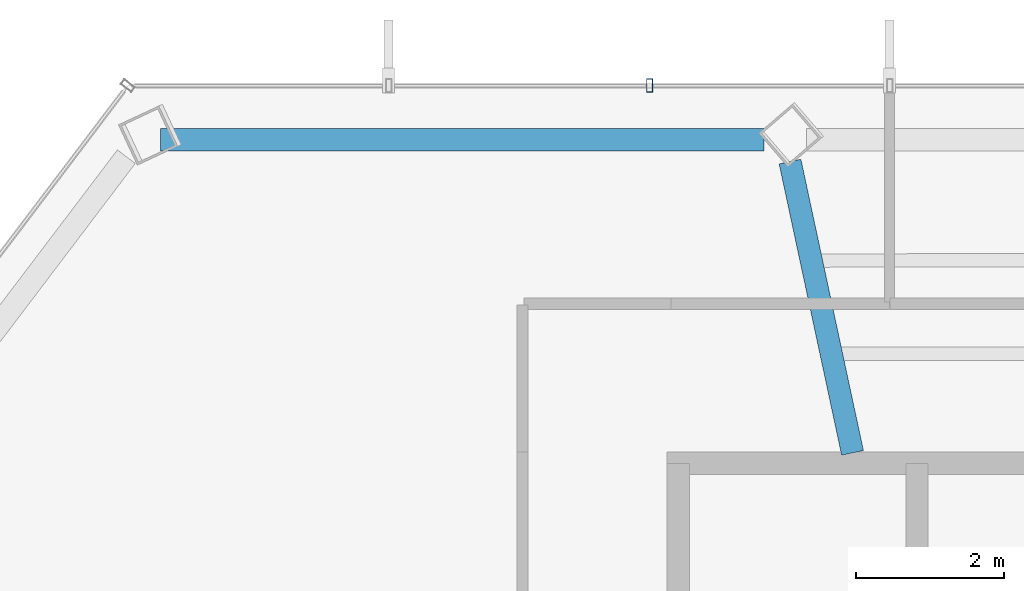
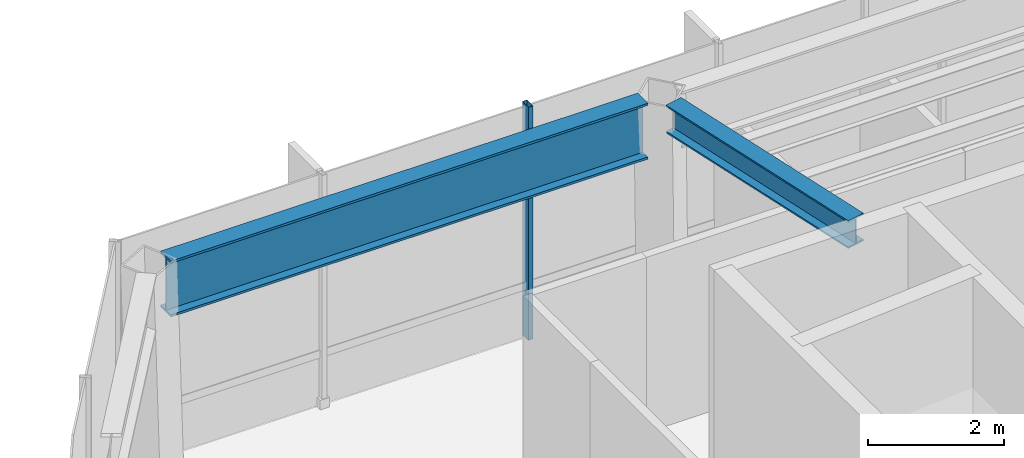
# One storey, part 8 of 22: 2 beams, 1 member, 1 element without a shape of its own.
"""IFC4 building model written with IfcOpenShell, lengths in metres."""

from ifc_helpers import new_model, si_unit, direction, frame, origin, origin_2d, place, context, subcontext, project, spatial, hollow_rectangle, i_section, extrude, material, layer, layer_set, material_profile, profile_set, type_object, element, aggregate, save


model = new_model("IFC4")

# Units and contexts
model_context = context("Model", 3, precision=1e-05, world=origin(), true_north=direction((0.0, 1.0)))
body_context = subcontext(model_context, "Body", "Model", "MODEL_VIEW")
ifc_project = project(units=[si_unit("LENGTHUNIT", "METRE"), si_unit("AREAUNIT", "SQUARE_METRE"), si_unit("VOLUMEUNIT", "CUBIC_METRE"), si_unit("PLANEANGLEUNIT", "RADIAN"), si_unit("MASSUNIT", "GRAM", prefix="KILO")], contexts=[model_context])

# Site, building, storey
site_placement = place(None, origin())
site = spatial("IfcSite", under=ifc_project, at=site_placement, CompositionType="ELEMENT")
building_placement = place(site_placement, origin())
building = spatial("IfcBuilding", under=site, at=building_placement, Name="Zarrinselat Tower", CompositionType="ELEMENT")
storey_placement = place(building_placement, frame((0.0, 0.0, 204.340087890625)))
storey = spatial("IfcBuildingStorey", under=building, at=storey_placement, Name="L50", CompositionType="ELEMENT", Elevation=204.340087890625)

# Beams
ifc_material_1 = material(Name="Steel S355J2", Category="steel")
ifc_material_profile_1 = material_profile(ifc_material_1, i_section(OverallWidth=0.300048828125, OverallDepth=0.5, WebThickness=0.014404296875, FlangeThickness=0.028076171875, at=origin_2d()), Name="HEB 500")
ifc_profile_set_1 = profile_set([ifc_material_profile_1], Name="Steel S355J2")
beam_type_1 = type_object("IfcBeamType", Name="BM-HEB500", PredefinedType="BEAM", material=ifc_profile_set_1)
beam_1_placement = place(storey_placement, frame((30.1572265625, 47.4658203125, 3.949951171875), z_axis=(0.209894489711, -0.977724042452, 0.0), x_axis=(0.977724042452, 0.209894489711, 0.0)))
element("IfcBeam", 1, at=beam_1_placement, inside=storey, type_object=beam_type_1, Name="L50 Radial Primary Girder RG04", PredefinedType="BEAM", context=body_context, shape_type="SweptSolid", body=[
    extrude(i_section(OverallWidth=0.300048828125, OverallDepth=0.5, WebThickness=0.014404296875, FlangeThickness=0.028076171875, at=origin_2d()), origin(), (0.0, 0.0, 1.0), 4.01513671875),
])
ifc_material_2 = material(Name="Steel S460M", Category="steel")
ifc_material_profile_2 = material_profile(ifc_material_2, i_section(OverallWidth=0.302001953125, OverallDepth=1.008056640625, WebThickness=0.02099609375, FlangeThickness=0.0400390625, at=origin_2d()), Name="HEM 1000")
ifc_profile_set_2 = profile_set([ifc_material_profile_2], Name="Steel S460M")
beam_type_2 = type_object("IfcBeamType", Name="BM-HEM1000", PredefinedType="BEAM", material=ifc_profile_set_2)
beam_2_placement = place(storey_placement, frame((21.673583984375, 47.760986328125, 3.69580078125), z_axis=(1.0, 0.0, 0.0), x_axis=(0.0, 1.0, 0.0)))
element("IfcBeam", 2, at=beam_2_placement, inside=storey, type_object=beam_type_2, Name="L50 Perimeter Spandrel Girder SP04", PredefinedType="BEAM", context=body_context, shape_type="SweptSolid", body=[
    extrude(i_section(OverallWidth=0.302001953125, OverallDepth=1.008056640625, WebThickness=0.02099609375, FlangeThickness=0.0400390625, at=origin_2d()), origin(), (0.0, 0.0, 1.0), 8.13232421875),
])

# Curtain wall, member
ifc_material_3 = material(Name="Extruded Aluminium Alloy EN AW-6063 T6", Category="aluminium")
ifc_layer = layer(ifc_material_3, 0.195068359375)
ifc_layer_set = layer_set([ifc_layer], Name="Extruded Aluminium Alloy EN AW-6063 T6")
curtain_wall_type = type_object("IfcCurtainWallType", Name="CWS-GDN", PredefinedType="NOTDEFINED", material=ifc_layer_set)
curtain_wall_placement = place(storey_placement, origin())
curtain_wall = element("IfcCurtainWall", 3, at=curtain_wall_placement, inside=storey, type_object=curtain_wall_type, Name="L50 Unitised Curtain Wall CW-L50-E02", PredefinedType="NOTDEFINED")
ifc_material_4 = material(Name="Extruded Aluminium Alloy EN AW-6063 T6", Category="aluminium")
ifc_material_profile_3 = material_profile(ifc_material_4, hollow_rectangle(XDim=0.080078125, YDim=0.179931640625, WallThickness=0.0048828125, at=origin_2d()), Name="RHS 180x80x5")
ifc_profile_set_3 = profile_set([ifc_material_profile_3], Name="Extruded Aluminium Alloy EN AW-6063 T6")
member_type = type_object("IfcMemberType", Name="MEM-CW-MUL", PredefinedType="MULLION", material=ifc_profile_set_3)
member_placement = place(storey_placement, frame((28.264404296875, 48.489013671875, 0.0), z_axis=(0.0, 0.0, 1.0), x_axis=(1.0, 0.0, 0.0)))
member = element("IfcMember", 4, at=member_placement, type_object=member_type, Name="CW-L50-E02 Mullion 2", PredefinedType="MULLION", context=body_context, shape_type="SweptSolid", body=[
    extrude(hollow_rectangle(XDim=0.080078125, YDim=0.179931640625, WallThickness=0.0048828125, at=origin_2d()), origin(), (0.0, 0.0, 1.0), 4.199951171875),
])
aggregate(curtain_wall, [member])

save(model, "model.ifc")
